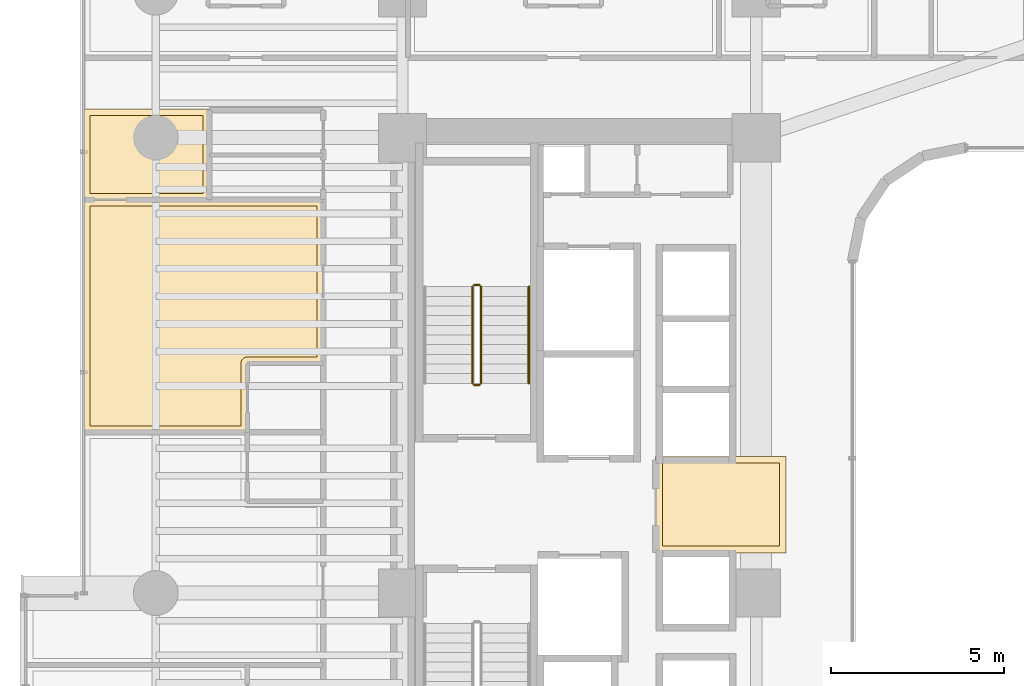
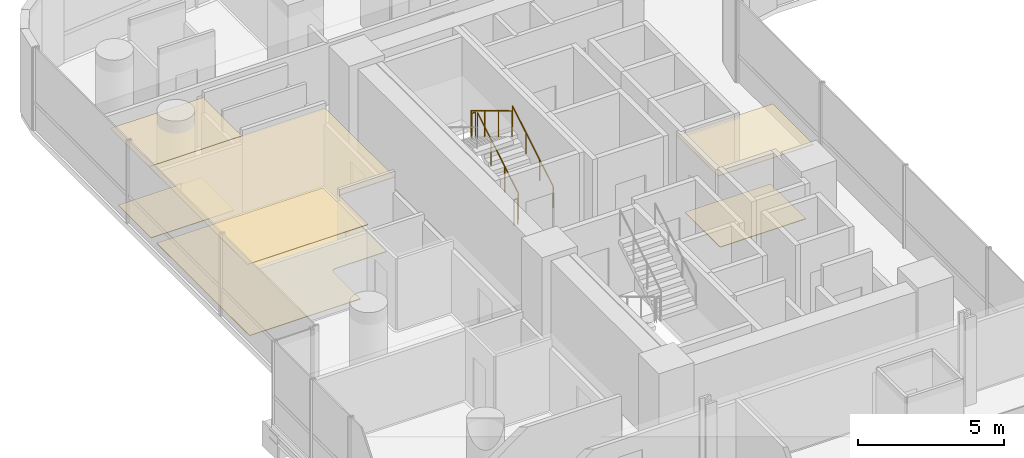
# One storey, part 38 of 42: 6 coverings, 5 railings.
"""IFC4 building model written with IfcOpenShell, lengths in metres."""

from ifc_helpers import new_model, si_unit, direction, frame, origin, origin_2d, place, context, subcontext, project, spatial, polyline, circle, outline, extrude, material, layer, layer_set, type_object, element, save


model = new_model("IFC4")

# Units and contexts
model_context = context("Model", 3, precision=1e-05, world=origin(), true_north=direction((0.0, 1.0)))
body_context = subcontext(model_context, "Body", "Model", "MODEL_VIEW")
ifc_project = project(units=[si_unit("LENGTHUNIT", "METRE"), si_unit("AREAUNIT", "SQUARE_METRE"), si_unit("VOLUMEUNIT", "CUBIC_METRE"), si_unit("PLANEANGLEUNIT", "RADIAN"), si_unit("MASSUNIT", "GRAM", prefix="KILO")], contexts=[model_context])

# Site, building, storey
site_placement = place(None, origin())
site = spatial("IfcSite", under=ifc_project, at=site_placement, CompositionType="ELEMENT")
building_placement = place(site_placement, origin())
building = spatial("IfcBuilding", under=site, at=building_placement, Name="Valdorenza Pilgrim Sanctuary Tower", CompositionType="ELEMENT")
storey_placement = place(building_placement, frame((0.0, 0.0, 29.699951171875)))
storey = spatial("IfcBuildingStorey", under=building, at=storey_placement, Name="L06", CompositionType="ELEMENT", Elevation=29.699951171875)

# Coverings
ifc_material_1 = material(Name="Micro-perforated acoustic mineral ceiling tile", Category="gypsum")
ifc_layer_1 = layer(ifc_material_1, 0.02490234375, Name="Micro-perforated acoustic mineral ceiling tile")
ifc_layer_set_1 = layer_set([ifc_layer_1], Name="Micro-perforated acoustic mineral ceiling tile")
covering_type_1 = type_object("IfcCoveringType", Name="COV-CLG-ACU", PredefinedType="CEILING", material=ifc_layer_set_1)
covering_1_placement = place(storey_placement, frame((0.0, 0.0, 3.16015625)))
element("IfcCovering", 1, at=covering_1_placement, inside=storey, type_object=covering_type_1, Name="L06 Core A Passenger Lift Lobby Acoustic Ceiling", PredefinedType="CEILING", context=body_context, shape_type="SweptSolid", body=[
    extrude(outline(polyline([(-15.31298828125, 1.244384765625), (-15.31298828125, 1.24462890625), (-15.313720703125, 1.24609375), (-15.314208984375, 1.24755859375), (-15.314697265625, 1.2490234375), (-15.31494140625, 1.25048828125), (-15.31494140625, 1.251953125), (-15.31494140625, 1.35009765625), (-15.31494140625, 1.3515625), (-15.314697265625, 1.352783203125), (-15.314453125, 1.3544921875), (-15.31396484375, 1.355712890625), (-15.313232421875, 1.357177734375), (-15.3125, 1.3583984375), (-15.3115234375, 1.359619140625), (-15.310546875, 1.360595703125), (-15.3095703125, 1.361572265625), (-15.308349609375, 1.362548828125), (-15.30712890625, 1.36328125), (-15.3056640625, 1.364013671875), (-15.304443359375, 1.364501953125), (-15.302978515625, 1.36474609375), (-15.301513671875, 1.364990234375), (-15.300048828125, 1.364990234375), (-15.10205078125, 1.364990234375), (-15.1005859375, 1.364990234375), (-15.09912109375, 1.36474609375), (-15.097412109375, 1.3642578125), (-15.09619140625, 1.36376953125), (-15.0947265625, 1.363037109375), (-15.094482421875, 1.363037109375), (-13.185546875, 1.363037109375), (-13.185302734375, 1.363037109375), (-13.183837890625, 1.36376953125), (-13.1826171875, 1.3642578125), (-13.180908203125, 1.36474609375), (-13.179443359375, 1.364990234375), (-13.177978515625, 1.364990234375), (-11.550048828125, 1.364990234375), (-11.548583984375, 1.364990234375), (-11.547119140625, 1.36474609375), (-11.545654296875, 1.364501953125), (-11.544189453125, 1.364013671875), (-11.54296875, 1.36328125), (-11.541748046875, 1.362548828125), (-11.54052734375, 1.361572265625), (-11.539306640625, 1.360595703125), (-11.538330078125, 1.359619140625), (-11.53759765625, 1.3583984375), (-11.536865234375, 1.357177734375), (-11.5361328125, 1.355712890625), (-11.53564453125, 1.3544921875), (-11.535400390625, 1.352783203125), (-11.53515625, 1.3515625), (-11.534912109375, 1.35009765625), (-11.534912109375, -1.419921875), (-11.53515625, -1.42138671875), (-11.535400390625, -1.4228515625), (-11.53564453125, -1.42431640625), (-11.5361328125, -1.42578125), (-11.536865234375, -1.427001953125), (-11.53759765625, -1.42822265625), (-11.538330078125, -1.429443359375), (-11.539306640625, -1.4306640625), (-11.54052734375, -1.431640625), (-11.541748046875, -1.4326171875), (-11.54296875, -1.43310546875), (-11.544189453125, -1.433837890625), (-11.545654296875, -1.434326171875), (-11.547119140625, -1.434814453125), (-11.548583984375, -1.434814453125), (-11.550048828125, -1.43505859375), (-15.298095703125, -1.43505859375), (-15.299560546875, -1.434814453125), (-15.30078125, -1.434814453125), (-15.302490234375, -1.434326171875), (-15.3037109375, -1.433837890625), (-15.30517578125, -1.43310546875), (-15.306396484375, -1.4326171875), (-15.3076171875, -1.431640625), (-15.30859375, -1.4306640625), (-15.3095703125, -1.429443359375), (-15.310546875, -1.42822265625), (-15.311279296875, -1.427001953125), (-15.31201171875, -1.42578125), (-15.3125, -1.42431640625), (-15.312744140625, -1.4228515625), (-15.31298828125, -1.42138671875), (-15.31298828125, -1.419921875), (-15.31298828125, 1.244384765625)])), origin(), (0.0, 0.0, 1.0), 0.02490234375),
])
covering_2_placement = place(storey_placement, frame((0.0, 0.0, 3.16015625)))
element("IfcCovering", 2, at=covering_2_placement, inside=storey, type_object=covering_type_1, Name="L06 Pilgrim Scholar Office L06-WN Acoustic Ceiling", PredefinedType="CEILING", context=body_context, shape_type="SweptSolid", body=[
    extrude(outline(polyline([(-28.237060546875, 11.39453125), (-28.237060546875, 10.103759765625), (-28.23681640625, 10.10302734375), (-28.23681640625, 10.1015625), (-28.23681640625, 10.10009765625), (-28.23681640625, 10.098388671875), (-28.237060546875, 10.09814453125), (-28.237060546875, 8.800048828125), (-28.237060546875, 8.798583984375), (-28.2373046875, 8.797119140625), (-28.237548828125, 8.795654296875), (-28.238037109375, 8.794189453125), (-28.23876953125, 8.79296875), (-28.239501953125, 8.791748046875), (-28.240478515625, 8.79052734375), (-28.241455078125, 8.789306640625), (-28.242431640625, 8.788330078125), (-28.24365234375, 8.78759765625), (-28.244873046875, 8.786865234375), (-28.246337890625, 8.7861328125), (-28.24755859375, 8.78564453125), (-28.2490234375, 8.785400390625), (-28.25048828125, 8.78515625), (-28.251953125, 8.784912109375), (-31.889892578125, 8.784912109375), (-31.8916015625, 8.78515625), (-31.892822265625, 8.785400390625), (-31.894287109375, 8.78564453125), (-31.895751953125, 8.7861328125), (-31.897216796875, 8.786865234375), (-31.898193359375, 8.78759765625), (-31.8994140625, 8.788330078125), (-31.900634765625, 8.789306640625), (-31.901611328125, 8.79052734375), (-31.902587890625, 8.791748046875), (-31.9033203125, 8.79296875), (-31.90380859375, 8.794189453125), (-31.904296875, 8.795654296875), (-31.90478515625, 8.797119140625), (-31.90478515625, 8.798583984375), (-31.905029296875, 8.800048828125), (-31.905029296875, 11.419921875), (-31.90478515625, 11.42138671875), (-31.90478515625, 11.4228515625), (-31.904296875, 11.42431640625), (-31.90380859375, 11.42578125), (-31.9033203125, 11.427001953125), (-31.902587890625, 11.42822265625), (-31.901611328125, 11.429443359375), (-31.900634765625, 11.4306640625), (-31.8994140625, 11.431640625), (-31.898193359375, 11.4326171875), (-31.897216796875, 11.43310546875), (-31.895751953125, 11.433837890625), (-31.894287109375, 11.434326171875), (-31.892822265625, 11.434814453125), (-31.8916015625, 11.434814453125), (-31.889892578125, 11.43505859375), (-28.25, 11.43505859375), (-28.24853515625, 11.434814453125), (-28.2470703125, 11.434814453125), (-28.24560546875, 11.434326171875), (-28.244384765625, 11.433837890625), (-28.242919921875, 11.43310546875), (-28.24169921875, 11.4326171875), (-28.240478515625, 11.431640625), (-28.239501953125, 11.4306640625), (-28.23828125, 11.429443359375), (-28.237548828125, 11.42822265625), (-28.23681640625, 11.427001953125), (-28.236083984375, 11.42578125), (-28.235595703125, 11.42431640625), (-28.2353515625, 11.4228515625), (-28.235107421875, 11.42138671875), (-28.235107421875, 11.419921875), (-28.235107421875, 11.402099609375), (-28.235107421875, 11.400390625), (-28.2353515625, 11.39892578125), (-28.235595703125, 11.3974609375), (-28.236083984375, 11.39599609375), (-28.23681640625, 11.394775390625), (-28.237060546875, 11.39453125)])), origin(), (0.0, 0.0, 1.0), 0.02490234375),
])
covering_3_placement = place(storey_placement, frame((0.0, 0.0, 3.16015625)))
element("IfcCovering", 3, at=covering_3_placement, inside=storey, type_object=covering_type_1, Name="L06 Pilgrim Guest Room L06-W3 Acoustic Ceiling", PredefinedType="CEILING", context=body_context, shape_type="SweptSolid", body=[
    extrude(outline(polyline([(-28.253662109375, 8.81298828125), (-28.253173828125, 8.81298828125), (-28.25146484375, 8.813232421875), (-28.25, 8.813232421875), (-28.24853515625, 8.81298828125), (-28.248291015625, 8.81298828125), (-24.949951171875, 8.81298828125), (-24.948486328125, 8.81298828125), (-24.947021484375, 8.812744140625), (-24.945556640625, 8.8125), (-24.9443359375, 8.81201171875), (-24.94287109375, 8.811279296875), (-24.941650390625, 8.810546875), (-24.9404296875, 8.8095703125), (-24.939453125, 8.80859375), (-24.9384765625, 8.8076171875), (-24.9375, 8.806396484375), (-24.936767578125, 8.80517578125), (-24.93603515625, 8.8037109375), (-24.935546875, 8.802490234375), (-24.935302734375, 8.80078125), (-24.93505859375, 8.799560546875), (-24.93505859375, 8.798095703125), (-24.93505859375, 4.06201171875), (-24.93505859375, 4.060546875), (-24.935302734375, 4.05908203125), (-24.935546875, 4.0576171875), (-24.93603515625, 4.056396484375), (-24.936767578125, 4.054931640625), (-24.9375, 4.0537109375), (-24.9384765625, 4.052490234375), (-24.939453125, 4.051513671875), (-24.9404296875, 4.05029296875), (-24.941650390625, 4.049560546875), (-24.94287109375, 4.048828125), (-24.9443359375, 4.048095703125), (-24.945556640625, 4.047607421875), (-24.947021484375, 4.04736328125), (-24.948486328125, 4.047119140625), (-24.949951171875, 4.047119140625), (-27.136962890625, 4.047119140625), (-27.136962890625, 2.06201171875), (-27.13720703125, 2.060546875), (-27.13720703125, 2.05908203125), (-27.1376953125, 2.0576171875), (-27.13818359375, 2.056396484375), (-27.138916015625, 2.054931640625), (-27.139404296875, 2.0537109375), (-27.140380859375, 2.052490234375), (-27.141357421875, 2.051513671875), (-27.142578125, 2.05029296875), (-27.143798828125, 2.049560546875), (-27.14501953125, 2.048828125), (-27.146240234375, 2.048095703125), (-27.147705078125, 2.047607421875), (-27.149169921875, 2.04736328125), (-27.150390625, 2.047119140625), (-27.152099609375, 2.047119140625), (-31.889892578125, 2.047119140625), (-31.8916015625, 2.047119140625), (-31.892822265625, 2.04736328125), (-31.894287109375, 2.047607421875), (-31.895751953125, 2.048095703125), (-31.897216796875, 2.048828125), (-31.898193359375, 2.049560546875), (-31.8994140625, 2.05029296875), (-31.900634765625, 2.051513671875), (-31.901611328125, 2.052490234375), (-31.902587890625, 2.0537109375), (-31.9033203125, 2.054931640625), (-31.90380859375, 2.056396484375), (-31.904296875, 2.0576171875), (-31.90478515625, 2.05908203125), (-31.90478515625, 2.060546875), (-31.905029296875, 2.06201171875), (-31.905029296875, 8.798095703125), (-31.90478515625, 8.799560546875), (-31.90478515625, 8.80078125), (-31.904296875, 8.802490234375), (-31.90380859375, 8.8037109375), (-31.9033203125, 8.80517578125), (-31.902587890625, 8.806396484375), (-31.901611328125, 8.8076171875), (-31.900634765625, 8.80859375), (-31.8994140625, 8.8095703125), (-31.898193359375, 8.810546875), (-31.897216796875, 8.811279296875), (-31.895751953125, 8.81201171875), (-31.894287109375, 8.8125), (-31.892822265625, 8.812744140625), (-31.8916015625, 8.81298828125), (-31.889892578125, 8.81298828125), (-28.253662109375, 8.81298828125)])), origin(), (0.0, 0.0, 1.0), 0.02490234375),
])
ifc_material_2 = material(Name="Engineered European oak timber flooring", Category="wood")
ifc_layer_2 = layer(ifc_material_2, 0.02197265625, Name="Engineered European oak timber flooring")
ifc_layer_set_2 = layer_set([ifc_layer_2], Name="Engineered European oak timber flooring")
covering_type_2 = type_object("IfcCoveringType", Name="COV-FLR-OAK", PredefinedType="FLOORING", material=ifc_layer_set_2)
covering_4_placement = place(storey_placement, origin())
element("IfcCovering", 4, at=covering_4_placement, inside=storey, type_object=covering_type_2, Name="L06 Pilgrim Guest Room L06-W3 Flooring", PredefinedType="FLOORING", context=body_context, shape_type="SweptSolid", body=[
    extrude(outline(polyline([(-28.250244140625, 8.617919921875), (-28.25, 8.617919921875), (-25.1298828125, 8.617919921875), (-25.1298828125, 4.241943359375), (-27.14990234375, 4.241943359375), (-27.15869140625, 4.24169921875), (-27.158935546875, 4.24169921875), (-27.176513671875, 4.239990234375), (-27.1767578125, 4.239990234375), (-27.194091796875, 4.236572265625), (-27.1943359375, 4.236572265625), (-27.211181640625, 4.2314453125), (-27.21142578125, 4.231201171875), (-27.227783203125, 4.224609375), (-27.227783203125, 4.224609375), (-27.243408203125, 4.21630859375), (-27.24365234375, 4.216064453125), (-27.25830078125, 4.206298828125), (-27.258544921875, 4.2060546875), (-27.272216796875, 4.19482421875), (-27.272216796875, 4.19482421875), (-27.284912109375, 4.182373046875), (-27.284912109375, 4.18212890625), (-27.296142578125, 4.16845703125), (-27.296142578125, 4.168212890625), (-27.30615234375, 4.153564453125), (-27.30615234375, 4.153564453125), (-27.314453125, 4.137939453125), (-27.314697265625, 4.1376953125), (-27.3212890625, 4.121337890625), (-27.3212890625, 4.12109375), (-27.326416015625, 4.104248046875), (-27.32666015625, 4.10400390625), (-27.330078125, 4.0869140625), (-27.330078125, 4.086669921875), (-27.331787109375, 4.069091796875), (-27.331787109375, 4.06884765625), (-27.33203125, 4.06005859375), (-27.33203125, 2.241943359375), (-31.7099609375, 2.241943359375), (-31.7099609375, 8.617919921875), (-28.251953125, 8.617919921875), (-28.2509765625, 8.617919921875), (-28.250244140625, 8.617919921875)])), origin(), (0.0, 0.0, 1.0), 0.025146484375),
])
ifc_material_3 = material(Name="Honed travertine stone flooring", Category="masonry")
ifc_layer_3 = layer(ifc_material_3, 0.030029296875, Name="Honed travertine stone flooring")
ifc_layer_set_3 = layer_set([ifc_layer_3], Name="Honed travertine stone flooring")
covering_type_3 = type_object("IfcCoveringType", Name="COV-FLR-TRV", PredefinedType="FLOORING", material=ifc_layer_set_3)
covering_5_placement = place(storey_placement, origin())
element("IfcCovering", 5, at=covering_5_placement, inside=storey, type_object=covering_type_3, Name="L06 Core A Passenger Lift Lobby Flooring", PredefinedType="FLOORING", context=body_context, shape_type="SweptSolid", body=[
    extrude(outline(polyline([(-15.117919921875, 1.169189453125), (-15.10888671875, 1.168212890625), (-15.10888671875, 1.168212890625), (-15.10009765625, 1.16796875), (-13.179931640625, 1.16796875), (-13.1796875, 1.16796875), (-11.72998046875, 1.169921875), (-11.72998046875, -1.239990234375), (-15.117919921875, -1.239990234375), (-15.117919921875, 1.169189453125)])), origin(), (0.0, 0.0, 1.0), 0.025146484375),
])
covering_6_placement = place(storey_placement, origin())
element("IfcCovering", 6, at=covering_6_placement, inside=storey, type_object=covering_type_3, Name="L06 Pilgrim Scholar Office L06-WN Flooring", PredefinedType="FLOORING", context=body_context, shape_type="SweptSolid", body=[
    extrude(outline(polyline([(-28.431884765625, 11.239990234375), (-28.431884765625, 10.10205078125), (-28.431884765625, 10.10107421875), (-28.431884765625, 10.100341796875), (-28.431884765625, 10.10009765625), (-28.431884765625, 8.97998046875), (-31.7099609375, 8.97998046875), (-31.7099609375, 11.239990234375), (-28.431884765625, 11.239990234375)])), origin(), (0.0, 0.0, 1.0), 0.025146484375),
])

# Railings
ifc_material_4 = material(Name="Stainless steel Grade 316", Category="steel")
railing_type_1 = type_object("IfcRailingType", Name="RLG-GRD-1120", PredefinedType="GUARDRAIL", material=ifc_material_4)
railing_1_placement = place(storey_placement, frame((-20.3701171875, 3.47998046875, 0.168212890625)))
element("IfcRailing", 7, at=railing_1_placement, inside=storey, type_object=railing_type_1, Name="L06 ST-A1 stair guard 1", PredefinedType="GUARDRAIL", context=body_context, shape_type="SweptSolid", body=[
    extrude(circle(Radius=0.02392578125, at=origin_2d()), frame((0.0, 0.0, 1.076171875), z_axis=(0.0, 0.857242210791, 0.514913383045), x_axis=(-1.0, 0.0, 0.0)), (0.0, 0.0, 1.0), 3.266357421875),
    extrude(circle(Radius=0.02099609375, at=origin_2d()), origin(), (0.0, 0.0, 1.0), 1.052001953125),
    extrude(circle(Radius=0.02099609375, at=origin_2d()), frame((0.0, 0.933349609375, 0.560546875)), (0.0, 0.0, 1.0), 1.052001953125),
    extrude(circle(Radius=0.02099609375, at=origin_2d()), frame((0.0, 1.86669921875, 1.121337890625)), (0.0, 0.0, 1.0), 1.052001953125),
    extrude(circle(Radius=0.02099609375, at=origin_2d()), frame((0.0, 2.800048828125, 1.681884765625)), (0.0, 0.0, 1.0), 1.052001953125),
])
railing_2_placement = place(storey_placement, frame((-20.419921875, 6.330078125, 1.85009765625)))
element("IfcRailing", 8, at=railing_2_placement, inside=storey, type_object=railing_type_1, Name="L06 ST-A1 stair guard 2", PredefinedType="GUARDRAIL", context=body_context, shape_type="SweptSolid", body=[
    extrude(circle(Radius=0.02392578125, at=origin_2d()), frame((0.0, 0.0, 1.076171875), z_axis=(-1.0, 0.0, 0.0), x_axis=(0.0, -1.0, 0.0)), (0.0, 0.0, 1.0), 0.150146484375),
    extrude(circle(Radius=0.02099609375, at=origin_2d()), origin(), (0.0, 0.0, 1.0), 1.052001953125),
    extrude(circle(Radius=0.02099609375, at=origin_2d()), frame((-0.150146484375, 0.0, 0.0)), (0.0, 0.0, 1.0), 1.052001953125),
])
railing_3_placement = place(storey_placement, frame((-20.6201171875, 6.280029296875, 2.018310546875)))
element("IfcRailing", 9, at=railing_3_placement, inside=storey, type_object=railing_type_1, Name="L06 ST-A1 stair guard 3", PredefinedType="GUARDRAIL", context=body_context, shape_type="SweptSolid", body=[
    extrude(circle(Radius=0.02392578125, at=origin_2d()), frame((0.0, 0.0, 1.076171875), z_axis=(0.0, -0.857275202839, 0.514858452973), x_axis=(1.0, 0.0, 0.0)), (0.0, 0.0, 1.0), 3.26611328125),
    extrude(circle(Radius=0.02099609375, at=origin_2d()), origin(), (0.0, 0.0, 1.0), 1.052001953125),
    extrude(circle(Radius=0.02099609375, at=origin_2d()), frame((0.0, -0.933349609375, 0.560546875)), (0.0, 0.0, 1.0), 1.052001953125),
    extrude(circle(Radius=0.02099609375, at=origin_2d()), frame((0.0, -1.86669921875, 1.12109375)), (0.0, 0.0, 1.0), 1.052001953125),
    extrude(circle(Radius=0.02099609375, at=origin_2d()), frame((0.0, -2.800048828125, 1.681640625)), (0.0, 0.0, 1.0), 1.052001953125),
])
railing_4_placement = place(storey_placement, frame((-20.419921875, 3.429931640625, 0.0)))
element("IfcRailing", 10, at=railing_4_placement, inside=storey, type_object=railing_type_1, Name="L06 ST-A1 stair guard 4", PredefinedType="GUARDRAIL", context=body_context, shape_type="SweptSolid", body=[
    extrude(circle(Radius=0.02392578125, at=origin_2d()), frame((0.0, 0.0, 1.076171875), z_axis=(-1.0, 0.0, 0.0), x_axis=(0.0, -1.0, 0.0)), (0.0, 0.0, 1.0), 0.150146484375),
    extrude(circle(Radius=0.02099609375, at=origin_2d()), origin(), (0.0, 0.0, 1.0), 1.052001953125),
    extrude(circle(Radius=0.02099609375, at=origin_2d()), frame((-0.150146484375, 0.0, 0.0)), (0.0, 0.0, 1.0), 1.052001953125),
])
ifc_material_5 = material(Name="Brushed stainless steel Grade 316", Category="steel")
railing_type_2 = type_object("IfcRailingType", Name="RLG-HND-920", PredefinedType="HANDRAIL", material=ifc_material_5)
railing_5_placement = place(storey_placement, frame((-18.989990234375, 3.47998046875, 0.168212890625)))
element("IfcRailing", 11, at=railing_5_placement, inside=storey, type_object=railing_type_2, Name="L06 ST-A1 stair handrail 1", PredefinedType="HANDRAIL", context=body_context, shape_type="SweptSolid", body=[
    extrude(circle(Radius=0.02392578125, at=origin_2d()), frame((0.0, 0.0, 0.8759765625), z_axis=(0.0, 0.857242210791, 0.514913383045), x_axis=(-1.0, 0.0, 0.0)), (0.0, 0.0, 1.0), 3.266357421875),
    extrude(circle(Radius=0.02099609375, at=origin_2d()), origin(), (0.0, 0.0, 1.0), 0.851806640625),
    extrude(circle(Radius=0.02099609375, at=origin_2d()), frame((0.0, 0.933349609375, 0.560546875)), (0.0, 0.0, 1.0), 0.851806640625),
    extrude(circle(Radius=0.02099609375, at=origin_2d()), frame((0.0, 1.86669921875, 1.121337890625)), (0.0, 0.0, 1.0), 0.851806640625),
    extrude(circle(Radius=0.02099609375, at=origin_2d()), frame((0.0, 2.800048828125, 1.681884765625)), (0.0, 0.0, 1.0), 0.851806640625),
])

save(model, "model.ifc")
